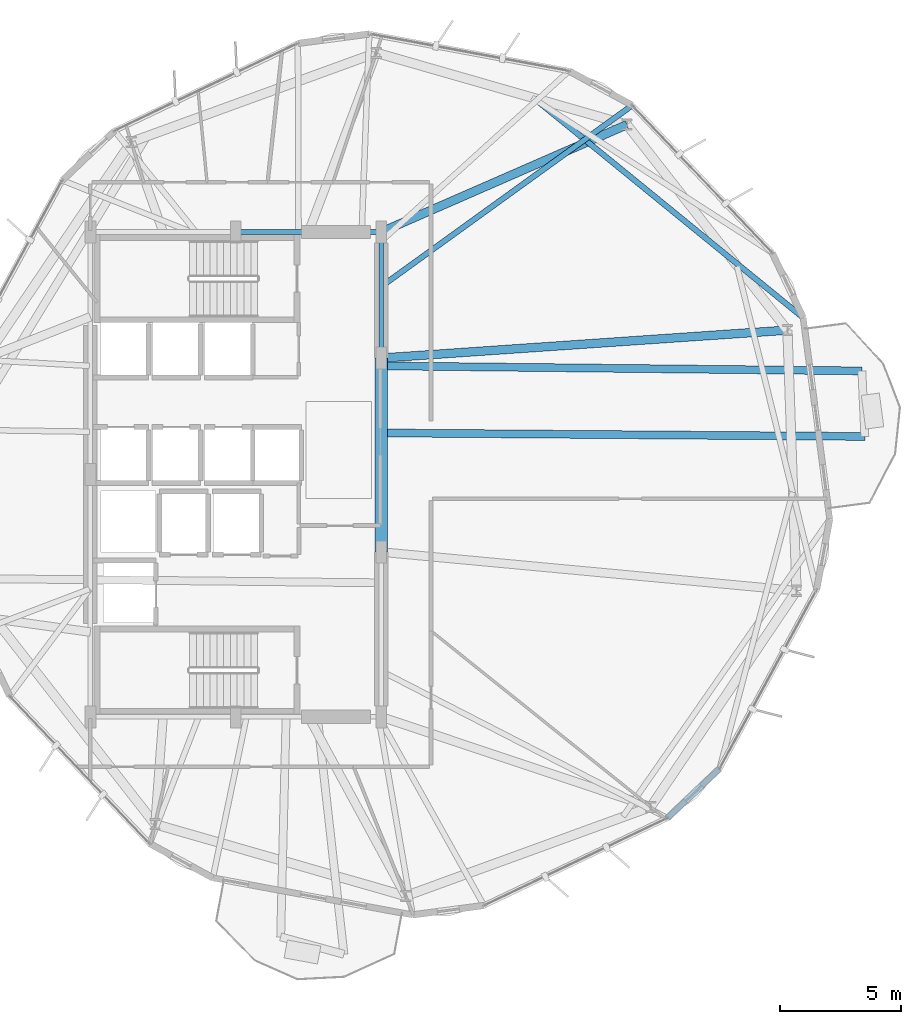
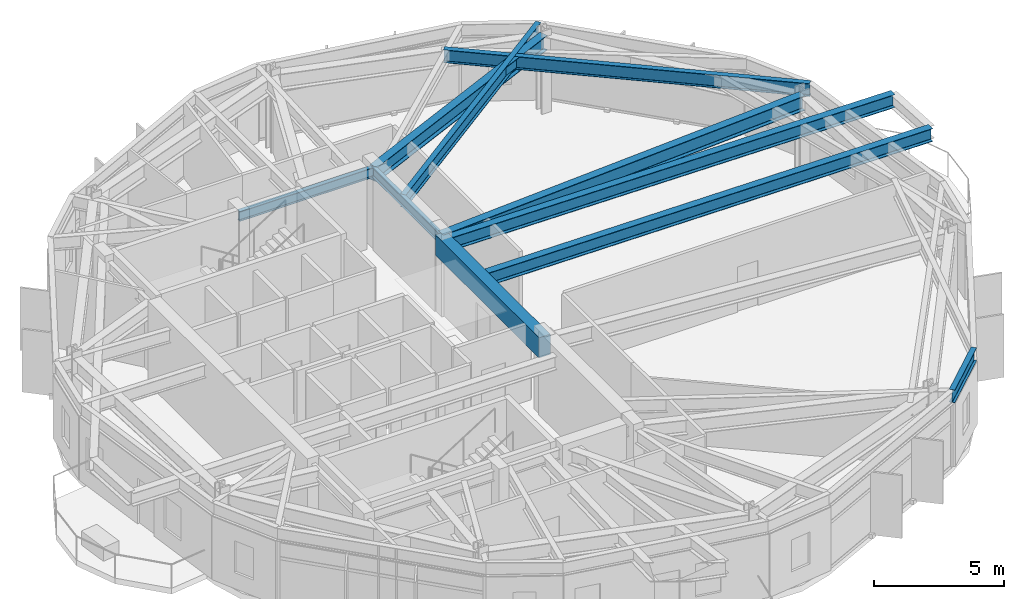
# One storey, part 11 of 25: 10 beams.
"""IFC4 building model written with IfcOpenShell, lengths in metres."""

from ifc_helpers import new_model, si_unit, direction, frame, origin, origin_2d, place, context, subcontext, project, spatial, rectangle, i_section, extrude, material, material_profile, profile_set, type_object, element, save


model = new_model("IFC4")

# Units and contexts
model_context = context("Model", 3, precision=1e-05, world=origin(), true_north=direction((0.0, 1.0)))
body_context = subcontext(model_context, "Body", "Model", "MODEL_VIEW")
ifc_project = project(units=[si_unit("LENGTHUNIT", "METRE"), si_unit("AREAUNIT", "SQUARE_METRE"), si_unit("VOLUMEUNIT", "CUBIC_METRE"), si_unit("PLANEANGLEUNIT", "RADIAN"), si_unit("MASSUNIT", "GRAM", prefix="KILO")], contexts=[model_context])

# Site, building, storey
site_placement = place(None, origin())
site = spatial("IfcSite", under=ifc_project, at=site_placement, CompositionType="ELEMENT")
building_placement = place(site_placement, origin())
building = spatial("IfcBuilding", under=site, at=building_placement, Name="Soratama Intermodal Tower", CompositionType="ELEMENT")
storey_placement = place(building_placement, frame((0.0, 0.0, 126.39990234375)))
storey = spatial("IfcBuildingStorey", under=building, at=storey_placement, Name="L30", CompositionType="ELEMENT", Elevation=126.39990234375)

# Beams
ifc_material_1 = material(Name="Structural steel ASTM A992 Grade 50", Category="steel")
ifc_material_profile_1 = material_profile(ifc_material_1, i_section(OverallWidth=0.324951171875, OverallDepth=0.615966796875, WebThickness=0.013916015625, FlangeThickness=0.021484375, FilletRadius=0.013916015625, at=origin_2d()), Name="W24X117")
ifc_profile_set_1 = profile_set([ifc_material_profile_1], Name="Structural steel ASTM A992 Grade 50")
beam_type_1 = type_object("IfcBeamType", Name="BM-CANT-W24X117", PredefinedType="BEAM", material=ifc_profile_set_1)
beam_1_placement = place(storey_placement, frame((44.8349609375, 26.7099609375, 3.2919921875), z_axis=(0.99997365491, -0.007258752376, 0.0), x_axis=(0.007258752376, 0.99997365491, 0.0)))
element("IfcBeam", 1, at=beam_1_placement, inside=storey, type_object=beam_type_1, Name="BM-L30-CANT-1-1", PredefinedType="BEAM", context=body_context, shape_type="SweptSolid", body=[
    extrude(i_section(OverallWidth=0.324951171875, OverallDepth=0.615966796875, WebThickness=0.013916015625, FlangeThickness=0.021484375, FilletRadius=0.013916015625, at=origin_2d()), origin(), (0.0, 0.0, 1.0), 19.70947265625),
])
beam_2_placement = place(storey_placement, frame((44.8349609375, 29.47509765625, 3.2919921875), z_axis=(0.999945186915, -0.01047010816, 0.0), x_axis=(0.01047010816, 0.999945186915, 0.0)))
element("IfcBeam", 2, at=beam_2_placement, inside=storey, type_object=beam_type_1, Name="BM-L30-CANT-1-2", PredefinedType="BEAM", context=body_context, shape_type="SweptSolid", body=[
    extrude(i_section(OverallWidth=0.324951171875, OverallDepth=0.615966796875, WebThickness=0.013916015625, FlangeThickness=0.021484375, FilletRadius=0.013916015625, at=origin_2d()), origin(), (0.0, 0.0, 1.0), 19.5869140625),
])
ifc_material_2 = material(Name="Concrete f'c 56 MPa", Category="concrete")
ifc_material_profile_2 = material_profile(ifc_material_2, rectangle(XDim=0.5, YDim=0.949951171875, at=origin_2d()), Name="RC500X950")
ifc_profile_set_2 = profile_set([ifc_material_profile_2], Name="Concrete f'c 56 MPa")
beam_type_2 = type_object("IfcBeamType", Name="BM-CPL-RC500X950", PredefinedType="BEAM", material=ifc_profile_set_2)
beam_3_placement = place(storey_placement, frame((44.60009765625, 21.800048828125, 3.125), z_axis=(0.0, 1.0, 0.0), x_axis=(-1.0, 0.0, 0.0)))
element("IfcBeam", 3, at=beam_3_placement, inside=storey, type_object=beam_type_2, Name="L30 Core Coupling Beam East", PredefinedType="BEAM", context=body_context, shape_type="SweptSolid", body=[
    extrude(rectangle(XDim=0.5, YDim=0.949951171875, at=origin_2d()), origin(), (0.0, 0.0, 1.0), 8.0),
])
ifc_material_3 = material(Name="Structural steel ASTM A992 Grade 50", Category="steel")
ifc_material_profile_3 = material_profile(ifc_material_3, i_section(OverallWidth=0.19091796875, OverallDepth=0.4599609375, WebThickness=0.010009765625, FlangeThickness=0.01611328125, FilletRadius=0.010986328125, at=origin_2d()), Name="W18X55")
ifc_profile_set_3 = profile_set([ifc_material_profile_3], Name="Structural steel ASTM A992 Grade 50")
beam_type_3 = type_object("IfcBeamType", Name="BM-FLR-W18X55", PredefinedType="BEAM", material=ifc_profile_set_3)
beam_4_placement = place(storey_placement, frame((44.60009765625, 29.800048828125, 3.3701171875), z_axis=(0.0, 1.0, 0.0), x_axis=(-1.0, 0.0, 0.0)))
element("IfcBeam", 4, at=beam_4_placement, inside=storey, type_object=beam_type_3, Name="BM-L30-CRING-05", PredefinedType="BEAM", context=body_context, shape_type="SweptSolid", body=[
    extrude(i_section(OverallWidth=0.19091796875, OverallDepth=0.4599609375, WebThickness=0.010009765625, FlangeThickness=0.01611328125, FilletRadius=0.010986328125, at=origin_2d()), origin(), (0.0, 0.0, 1.0), 5.199951171875),
])
beam_5_placement = place(storey_placement, frame((44.60009765625, 35.0, 3.3701171875), z_axis=(-1.0, 0.0, 0.0), x_axis=(0.0, -1.0, 0.0)))
element("IfcBeam", 5, at=beam_5_placement, inside=storey, type_object=beam_type_3, Name="BM-L30-CRING-06", PredefinedType="BEAM", context=body_context, shape_type="SweptSolid", body=[
    extrude(i_section(OverallWidth=0.19091796875, OverallDepth=0.4599609375, WebThickness=0.010009765625, FlangeThickness=0.01611328125, FilletRadius=0.010986328125, at=origin_2d()), origin(), (0.0, 0.0, 1.0), 6.0),
])
ifc_material_4 = material(Name="Structural steel ASTM A992 Grade 50", Category="steel")
ifc_material_profile_4 = material_profile(ifc_material_4, i_section(OverallWidth=0.35498046875, OverallDepth=0.695068359375, WebThickness=0.015380859375, FlangeThickness=0.02490234375, FilletRadius=0.01611328125, at=origin_2d()), Name="W27X146")
ifc_profile_set_4 = profile_set([ifc_material_profile_4], Name="Structural steel ASTM A992 Grade 50")
beam_type_4 = type_object("IfcBeamType", Name="BM-RING-W27X146", PredefinedType="BEAM", material=ifc_profile_set_4)
beam_6_placement = place(storey_placement, frame((44.60009765625, 29.800048828125, 3.252685546875), z_axis=(0.99764812202, 0.06854359656, 0.0), x_axis=(-0.06854359656, 0.99764812202, 0.0)))
element("IfcBeam", 6, at=beam_6_placement, inside=storey, type_object=beam_type_4, Name="BM-L30-RAD-01", PredefinedType="BEAM", context=body_context, shape_type="SweptSolid", body=[
    extrude(i_section(OverallWidth=0.35498046875, OverallDepth=0.695068359375, WebThickness=0.015380859375, FlangeThickness=0.02490234375, FilletRadius=0.01611328125, at=origin_2d()), origin(), (0.0, 0.0, 1.0), 16.79052734375),
])
beam_7_placement = place(storey_placement, frame((44.60009765625, 35.0, 3.252685546875), z_axis=(0.91638224797, 0.400304353718, 0.0), x_axis=(-0.400304353718, 0.91638224797, 0.0)))
element("IfcBeam", 7, at=beam_7_placement, inside=storey, type_object=beam_type_4, Name="BM-L30-RAD-02", PredefinedType="BEAM", context=body_context, shape_type="SweptSolid", body=[
    extrude(i_section(OverallWidth=0.35498046875, OverallDepth=0.695068359375, WebThickness=0.015380859375, FlangeThickness=0.02490234375, FilletRadius=0.01611328125, at=origin_2d()), origin(), (0.0, 0.0, 1.0), 11.05419921875),
])
ifc_material_5 = material(Name="Structural steel ASTM A992 Grade 50", Category="steel")
ifc_material_profile_5 = material_profile(ifc_material_5, i_section(OverallWidth=0.22900390625, OverallDepth=0.612060546875, WebThickness=0.011962890625, FlangeThickness=0.01953125, FilletRadius=0.012939453125, at=origin_2d()), Name="W24X84")
ifc_profile_set_5 = profile_set([ifc_material_profile_5], Name="Structural steel ASTM A992 Grade 50")
beam_type_5 = type_object("IfcBeamType", Name="BM-SPN-W24X84", PredefinedType="SPANDREL", material=ifc_profile_set_5)
beam_8_placement = place(storey_placement, frame((56.404052734375, 10.827880859375, 3.294189453125), z_axis=(0.725340416539, 0.688390354476, 0.0), x_axis=(-0.688390354476, 0.725340416539, 0.0)))
element("IfcBeam", 8, at=beam_8_placement, inside=storey, type_object=beam_type_5, Name="BS-L30-CRN08", PredefinedType="SPANDREL", context=body_context, shape_type="SweptSolid", body=[
    extrude(i_section(OverallWidth=0.22900390625, OverallDepth=0.612060546875, WebThickness=0.011962890625, FlangeThickness=0.01953125, FilletRadius=0.012939453125, at=origin_2d()), origin(), (0.0, 0.0, 1.0), 2.966796875),
])
ifc_material_6 = material(Name="Structural steel ASTM A992 Grade 50", Category="steel")
ifc_material_profile_6 = material_profile(ifc_material_6, i_section(OverallWidth=0.22900390625, OverallDepth=0.612060546875, WebThickness=0.011962890625, FlangeThickness=0.01953125, FilletRadius=0.012939453125, at=origin_2d()), Name="W24X84")
ifc_profile_set_6 = profile_set([ifc_material_profile_6], Name="Structural steel ASTM A992 Grade 50")
beam_type_6 = type_object("IfcBeamType", Name="BM-TIE-W24X84", PredefinedType="BEAM", material=ifc_profile_set_6)
beam_9_placement = place(storey_placement, frame((44.632080078125, 32.77392578125, 3.294189453125), z_axis=(0.810814228785, 0.585303584818, 0.0), x_axis=(-0.585303584818, 0.810814228785, 0.0)))
element("IfcBeam", 9, at=beam_9_placement, inside=storey, type_object=beam_type_6, Name="BM-L30-TIE1-01", PredefinedType="BEAM", context=body_context, shape_type="SweptSolid", body=[
    extrude(i_section(OverallWidth=0.22900390625, OverallDepth=0.612060546875, WebThickness=0.011962890625, FlangeThickness=0.01953125, FilletRadius=0.012939453125, at=origin_2d()), origin(), (0.0, 0.0, 1.0), 12.73046875),
])
beam_10_placement = place(storey_placement, frame((50.9130859375, 40.50390625, 3.294189453125), z_axis=(0.775150477276, -0.631776651657, 0.0), x_axis=(0.631776651657, 0.775150477276, 0.0)))
element("IfcBeam", 10, at=beam_10_placement, inside=storey, type_object=beam_type_6, Name="BM-L30-TIE1-10", PredefinedType="BEAM", context=body_context, shape_type="SweptSolid", body=[
    extrude(i_section(OverallWidth=0.22900390625, OverallDepth=0.612060546875, WebThickness=0.011962890625, FlangeThickness=0.01953125, FilletRadius=0.012939453125, at=origin_2d()), origin(), (0.0, 0.0, 1.0), 14.305419921875),
])

save(model, "model.ifc")
